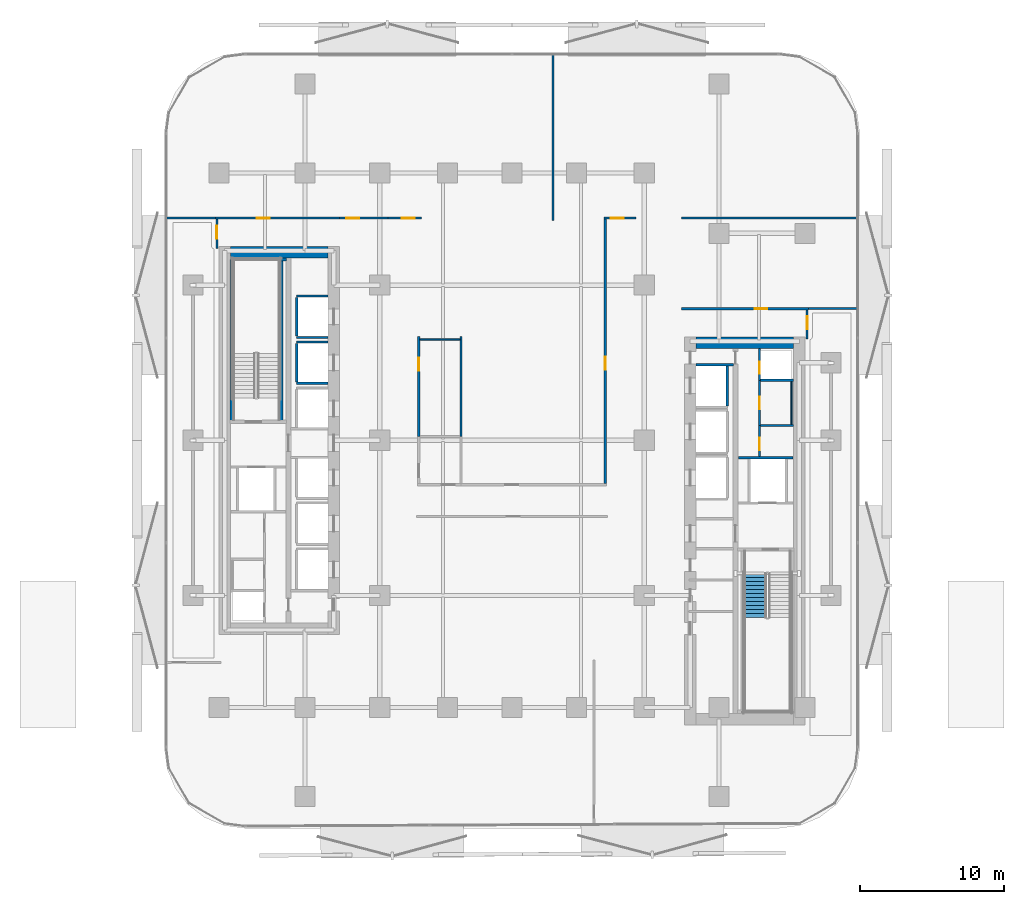
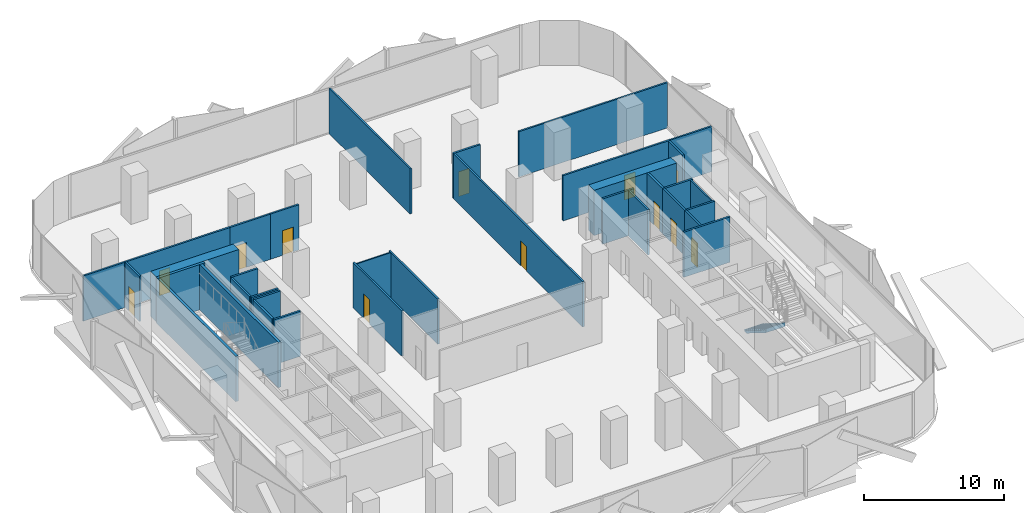
# One storey, part 5 of 16: 35 walls, 12 doors, 1 stair flight, 12 openings, 1 element without a shape of its own.
"""IFC4 building model written with IfcOpenShell, lengths in metres."""

from ifc_helpers import new_model, si_unit, direction, frame, frame_2d, origin, place, context, subcontext, project, spatial, polyline, rectangle, outline, extrude, material, layer, layer_set, type_object, element, fill, aggregate, save


model = new_model("IFC4")

# Units and contexts
model_context = context("Model", 3, precision=1e-05, world=origin(), true_north=direction((0.0, 1.0)))
body_context = subcontext(model_context, "Body", "Model", "MODEL_VIEW")
ifc_project = project(units=[si_unit("LENGTHUNIT", "METRE"), si_unit("AREAUNIT", "SQUARE_METRE"), si_unit("VOLUMEUNIT", "CUBIC_METRE"), si_unit("PLANEANGLEUNIT", "RADIAN"), si_unit("MASSUNIT", "GRAM", prefix="KILO")], contexts=[model_context])

# Site, building, storey
site_placement = place(None, origin())
site = spatial("IfcSite", under=ifc_project, at=site_placement, CompositionType="ELEMENT")
building_placement = place(site_placement, origin())
building = spatial("IfcBuilding", under=site, at=building_placement, Name="Khairoan Windgate Tower", CompositionType="ELEMENT")
storey_placement = place(building_placement, frame((0.0, 0.0, 26.0)))
storey = spatial("IfcBuildingStorey", under=building, at=storey_placement, Name="L06", CompositionType="ELEMENT", Elevation=26.0)

# Walls
ifc_material_1 = material(Name="Moisture-Resistant Gypsum Partition", Category="gypsum")
ifc_layer_1 = layer(ifc_material_1, 0.10009765625, Name="Moisture-Resistant Gypsum Partition")
ifc_layer_set_1 = layer_set([ifc_layer_1], Name="Moisture-Resistant Gypsum Partition")
wall_type_1 = type_object("IfcWallType", Name="Bathroom Wet-Area Partition Wall", PredefinedType="PARTITIONING", material=ifc_layer_set_1)
wall_1_placement = place(storey_placement, frame((19.449951171875, 4.090087890625, 0.0), z_axis=(0.0, 0.0, 1.0), x_axis=(0.0, -1.0, 0.0)))
element("IfcWall", 1, at=wall_1_placement, inside=storey, type_object=wall_type_1, Name="L06 Wet Room Side Wall 036", PredefinedType="PARTITIONING", context=body_context, shape_type="SweptSolid", body=[
    extrude(rectangle(XDim=2.97998046875, YDim=0.10009765625, at=frame_2d((1.489990234375, 0.0))), origin(), (0.0, 0.0, 1.0), 3.93994140625),
])
wall_2_placement = place(storey_placement, frame((-6.409912109375, 7.0, 0.0), z_axis=(0.0, 0.0, 1.0), x_axis=(1.0, 0.0, 0.0)))
element("IfcWall", 2, at=wall_2_placement, inside=storey, type_object=wall_type_1, Name="L06 Wet Room Side Wall 037", PredefinedType="PARTITIONING", context=body_context, shape_type="SweptSolid", body=[
    extrude(rectangle(XDim=2.7998046875, YDim=0.10009765625, at=frame_2d((1.39990234375, 0.0))), origin(), (0.0, 0.0, 1.0), 3.93994140625),
])
ifc_material_2 = material(Name="Concrete C40/50", Category="concrete")
ifc_layer_2 = layer(ifc_material_2, 0.159912109375, Name="Concrete C40/50")
ifc_layer_set_2 = layer_set([ifc_layer_2], Name="Concrete C40/50")
wall_type_2 = type_object("IfcWallType", Name="Core and Hoistway Enclosure Wall", PredefinedType="STANDARD", material=ifc_layer_set_2)
for number, where, z_axis, x_axis, name in (
    (3, (-14.989990234375, 7.159912109375, 0.0), (0.0, 0.0, 1.0), (1.0, 0.0, 0.0), "L06 Lift PL1 Hoistway Divider S"),
    (4, (-14.989990234375, 10.0400390625, 0.0), (0.0, 0.0, 1.0), (1.0, 0.0, 0.0), "L06 Lift PL1 Hoistway Divider N"),
):
    element("IfcWall", number, at=place(storey_placement, frame(where, z_axis=z_axis, x_axis=x_axis)), inside=storey, type_object=wall_type_2, Name=name, PredefinedType="STANDARD", context=body_context, shape_type="SweptSolid", body=[
        extrude(rectangle(XDim=2.18994140625, YDim=0.159912109375, at=frame_2d((1.094970703125, 0.0))), origin(), (0.0, 0.0, 1.0), 3.93994140625),
    ])
wall_3_placement = place(storey_placement, frame((-14.989990234375, 7.25, 0.0), z_axis=(0.0, 0.0, 1.0), x_axis=(0.0, 1.0, 0.0)))
element("IfcWall", 5, at=wall_3_placement, inside=storey, type_object=wall_type_2, Name="L06 Lift PL1 Hoistway Back Wall", PredefinedType="STANDARD", context=body_context, shape_type="SweptSolid", body=[
    extrude(rectangle(XDim=2.699951171875, YDim=0.159912109375, at=frame_2d((1.35009765625, 0.0))), origin(), (0.0, 0.0, 1.0), 3.93994140625),
])
for number, where, z_axis, x_axis, name in (
    (6, (-14.989990234375, 3.9599609375, 0.0), (0.0, 0.0, 1.0), (1.0, 0.0, 0.0), "L06 Lift PL2 Hoistway Divider S"),
    (7, (-14.989990234375, 6.840087890625, 0.0), (0.0, 0.0, 1.0), (1.0, 0.0, 0.0), "L06 Lift PL2 Hoistway Divider N"),
):
    element("IfcWall", number, at=place(storey_placement, frame(where, z_axis=z_axis, x_axis=x_axis)), inside=storey, type_object=wall_type_2, Name=name, PredefinedType="STANDARD", context=body_context, shape_type="SweptSolid", body=[
        extrude(rectangle(XDim=2.18994140625, YDim=0.159912109375, at=frame_2d((1.094970703125, 0.0))), origin(), (0.0, 0.0, 1.0), 3.93994140625),
    ])
wall_4_placement = place(storey_placement, frame((-14.989990234375, 4.050048828125, 0.0), z_axis=(0.0, 0.0, 1.0), x_axis=(0.0, 1.0, 0.0)))
element("IfcWall", 8, at=wall_4_placement, inside=storey, type_object=wall_type_2, Name="L06 Lift PL2 Hoistway Back Wall", PredefinedType="STANDARD", context=body_context, shape_type="SweptSolid", body=[
    extrude(rectangle(XDim=2.699951171875, YDim=0.159912109375, at=frame_2d((1.35009765625, 0.0))), origin(), (0.0, 0.0, 1.0), 3.93994140625),
])
wall_5_placement = place(storey_placement, frame((14.989990234375, 2.39990234375, 0.0), z_axis=(0.0, 0.0, 1.0), x_axis=(0.0, 1.0, 0.0)))
element("IfcWall", 9, at=wall_5_placement, inside=storey, type_object=wall_type_2, Name="L06 Lift PL7 Hoistway Back Wall", PredefinedType="STANDARD", context=body_context, shape_type="SweptSolid", body=[
    extrude(rectangle(XDim=2.800048828125, YDim=0.159912109375, at=frame_2d((1.39990234375, 0.0))), origin(), (0.0, 0.0, 1.0), 3.93994140625),
])
wall_6_placement = place(storey_placement, frame((15.75, -1.219970703125, 0.0), z_axis=(0.0, 0.0, 1.0), x_axis=(1.0, 0.0, 0.0)))
element("IfcWall", 10, at=wall_6_placement, inside=storey, type_object=wall_type_2, Name="L06 Core Shaft Wall SW-FL1T-L06", PredefinedType="STANDARD", context=body_context, shape_type="SweptSolid", body=[
    extrude(rectangle(XDim=3.800048828125, YDim=0.159912109375, at=frame_2d((1.89990234375, 0.0))), origin(), (0.0, 0.0, 1.0), 3.93994140625),
])
wall_7_placement = place(storey_placement, frame((12.800048828125, 5.25, 0.0), z_axis=(0.0, 0.0, 1.0), x_axis=(1.0, 0.0, 0.0)))
element("IfcWall", 11, at=wall_7_placement, inside=storey, type_object=wall_type_2, Name="L06 Core Shaft Wall SW-ESV-L06", PredefinedType="STANDARD", context=body_context, shape_type="SweptSolid", body=[
    extrude(rectangle(XDim=2.599853515625, YDim=0.159912109375, at=frame_2d((1.2998046875, 0.0))), origin(), (0.0, 0.0, 1.0), 3.93994140625),
])
ifc_material_3 = material(Name="Acoustic Fire-Rated Gypsum Partition", Category="gypsum")
ifc_layer_3 = layer(ifc_material_3, 0.139892578125, Name="Acoustic Fire-Rated Gypsum Partition")
ifc_layer_set_3 = layer_set([ifc_layer_3], Name="Acoustic Fire-Rated Gypsum Partition")
wall_type_3 = type_object("IfcWallType", Name="Inter-Tenancy Compartment Wall", PredefinedType="PARTITIONING", material=ifc_layer_set_3)
for number, where, z_axis, x_axis, name in (
    (12, (-24.054931640625, 15.4599609375, 0.0), (0.0, 0.0, 1.0), (1.0, 0.0, 0.0), "L06 Interior Partition 026"),
    (13, (20.639892578125, 9.159912109375, 0.0), (0.0, 0.0, 1.0), (1.0, 0.0, 0.0), "L06 Interior Partition 028"),
):
    element("IfcWall", number, at=place(storey_placement, frame(where, z_axis=z_axis, x_axis=x_axis)), inside=storey, type_object=wall_type_3, Name=name, PredefinedType="PARTITIONING", context=body_context, shape_type="SweptSolid", body=[
        extrude(rectangle(XDim=3.4150390625, YDim=0.139892578125, at=frame_2d((1.70751953125, 0.0))), origin(), (0.0, 0.0, 1.0), 3.93994140625),
    ])
wall_8_placement = place(storey_placement, frame((11.81005859375, 15.4599609375, 0.0), z_axis=(0.0, 0.0, 1.0), x_axis=(1.0, 0.0, 0.0)))
element("IfcWall", 14, at=wall_8_placement, inside=storey, type_object=wall_type_3, Name="L06 Interior Partition 029", PredefinedType="PARTITIONING", context=body_context, shape_type="SweptSolid", body=[
    extrude(rectangle(XDim=12.244873046875, YDim=0.139892578125, at=frame_2d((6.12255859375, 0.0))), origin(), (0.0, 0.0, 1.0), 3.93994140625),
])
wall_9_placement = place(storey_placement, frame((2.85595703125, 15.280029296875, 0.0), z_axis=(0.0, 0.0, 1.0), x_axis=(0.0, 1.0, 0.0)))
element("IfcWall", 15, at=wall_9_placement, inside=storey, type_object=wall_type_3, Name="L06 Interior Partition 030", PredefinedType="PARTITIONING", context=body_context, shape_type="SweptSolid", body=[
    extrude(rectangle(XDim=11.574951171875, YDim=0.139892578125, at=frame_2d((5.78759765625, 0.0))), origin(), (0.0, 0.0, 1.0), 3.93994140625),
])
wall_10_placement = place(storey_placement, frame((-3.5400390625, 0.280029296875, 0.0), z_axis=(0.0, 0.0, 1.0), x_axis=(0.0, 1.0, 0.0)))
element("IfcWall", 16, at=wall_10_placement, inside=storey, type_object=wall_type_3, Name="L06 Interior Partition 034", PredefinedType="PARTITIONING", context=body_context, shape_type="SweptSolid", body=[
    extrude(rectangle(XDim=6.9599609375, YDim=0.139892578125, at=frame_2d((3.47998046875, 0.0))), origin(), (0.0, 0.0, 1.0), 3.93994140625),
])

# Wall, opening, door
ifc_material_4 = material(Name="Concrete C40/50", Category="concrete")
ifc_layer_4 = layer(ifc_material_4, 0.159912109375, Name="Concrete C40/50")
ifc_layer_set_4 = layer_set([ifc_layer_4], Name="Concrete C40/50")
wall_type_4 = type_object("IfcWallType", Name="Plant and Refuge Compartment Wall", PredefinedType="PARTITIONING", material=ifc_layer_set_4)
wall_11_placement = place(storey_placement, frame((17.22998046875, 4.169921875, 0.0), z_axis=(0.0, 0.0, 1.0), x_axis=(0.0, 1.0, 0.0)))
wall_11 = element("IfcWall", 17, at=wall_11_placement, inside=storey, type_object=wall_type_4, Name="L06 Interior Partition 006", PredefinedType="PARTITIONING", context=body_context, shape_type="SweptSolid", body=[
    extrude(rectangle(XDim=2.22998046875, YDim=0.159912109375, at=frame_2d((1.114990234375, 0.0))), origin(), (0.0, 0.0, 1.0), 3.93994140625),
])
opening_1_placement = place(wall_11_placement, frame((0.4599609375, 0.0, 0.0)))
opening_1 = element("IfcOpeningElement", 18, at=opening_1_placement, cuts=wall_11, Name="Opening FD-SRV", PredefinedType="OPENING", context=body_context, shape_type="SweptSolid", body=[
    extrude(rectangle(XDim=0.85009765625, YDim=2.10009765625, at=frame_2d((0.425048828125, 1.050048828125))), frame((0.0, 0.08984375, 0.0), z_axis=(0.0, -1.0, 0.0), x_axis=(1.0, 0.0, 0.0)), (0.0, 0.0, 1.0), 0.179931640625),
])
ifc_material_5 = material(Name="Steel S355", Category="steel")
door_type_1 = type_object("IfcDoorType", Name="Core Service and Riser Fire Door FD-SRV 850x2100", OperationType="NOTDEFINED", PredefinedType="DOOR", material=ifc_material_5)
door_1_placement = place(opening_1_placement, origin())
door_1 = element("IfcDoor", 19, at=door_1_placement, inside=storey, type_object=door_type_1, Name="L06 L06-19-L06-20 Door", OperationType="SINGLE_SWING_RIGHT", OverallHeight=2.10009765625, OverallWidth=0.85009765625, PredefinedType="DOOR", context=body_context, shape_type="SweptSolid", body=[
    extrude(rectangle(XDim=0.85009765625, YDim=2.10009765625, at=frame_2d((0.425048828125, 1.050048828125))), frame((0.0, 0.02490234375, 0.0), z_axis=(0.0, -1.0, 0.0), x_axis=(1.0, 0.0, 0.0)), (0.0, 0.0, 1.0), 0.050048828125),
])
fill(opening_1, door_1)

wall_12_placement = place(storey_placement, frame((17.22998046875, -1.139892578125, 0.0), z_axis=(0.0, 0.0, 1.0), x_axis=(0.0, 1.0, 0.0)))
wall_12 = element("IfcWall", 20, at=wall_12_placement, inside=storey, type_object=wall_type_4, Name="L06 Interior Partition 007", PredefinedType="PARTITIONING", context=body_context, shape_type="SweptSolid", body=[
    extrude(rectangle(XDim=2.169921875, YDim=0.159912109375, at=frame_2d((1.0849609375, 0.0))), origin(), (0.0, 0.0, 1.0), 3.93994140625),
])
opening_2_placement = place(wall_12_placement, frame((0.4599609375, 0.0, 0.0)))
opening_2 = element("IfcOpeningElement", 21, at=opening_2_placement, cuts=wall_12, Name="Opening FD-SRV", PredefinedType="OPENING", context=body_context, shape_type="SweptSolid", body=[
    extrude(rectangle(XDim=0.85009765625, YDim=2.10009765625, at=frame_2d((0.425048828125, 1.050048828125))), frame((0.0, 0.08984375, 0.0), z_axis=(0.0, -1.0, 0.0), x_axis=(1.0, 0.0, 0.0)), (0.0, 0.0, 1.0), 0.179931640625),
])
door_2_placement = place(opening_2_placement, origin())
door_2 = element("IfcDoor", 22, at=door_2_placement, inside=storey, type_object=door_type_1, Name="L06 L06-19-L06-21 Door", OperationType="SINGLE_SWING_LEFT", OverallHeight=2.10009765625, OverallWidth=0.85009765625, PredefinedType="DOOR", context=body_context, shape_type="SweptSolid", body=[
    extrude(rectangle(XDim=0.85009765625, YDim=2.10009765625, at=frame_2d((0.425048828125, 1.050048828125))), frame((0.0, 0.02490234375, 0.0), z_axis=(0.0, -1.0, 0.0), x_axis=(1.0, 0.0, 0.0)), (0.0, 0.0, 1.0), 0.050048828125),
])
fill(opening_2, door_2)

wall_13_placement = place(storey_placement, frame((17.22998046875, 1.030029296875, 0.0), z_axis=(0.0, 0.0, 1.0), x_axis=(0.0, 1.0, 0.0)))
wall_13 = element("IfcWall", 23, at=wall_13_placement, inside=storey, type_object=wall_type_4, Name="L06 Interior Partition 008", PredefinedType="PARTITIONING", context=body_context, shape_type="SweptSolid", body=[
    extrude(rectangle(XDim=3.139892578125, YDim=0.159912109375, at=frame_2d((1.56982421875, 0.0))), origin(), (0.0, 0.0, 1.0), 3.93994140625),
])
opening_3_placement = place(wall_13_placement, frame((1.14501953125, 0.0, 0.0)))
opening_3 = element("IfcOpeningElement", 24, at=opening_3_placement, cuts=wall_13, Name="Opening FD-SRV", PredefinedType="OPENING", context=body_context, shape_type="SweptSolid", body=[
    extrude(rectangle(XDim=0.85009765625, YDim=2.10009765625, at=frame_2d((0.425048828125, 1.050048828125))), frame((0.0, 0.08984375, 0.0), z_axis=(0.0, -1.0, 0.0), x_axis=(1.0, 0.0, 0.0)), (0.0, 0.0, 1.0), 0.179931640625),
])
door_3_placement = place(opening_3_placement, origin())
door_3 = element("IfcDoor", 25, at=door_3_placement, inside=storey, type_object=door_type_1, Name="L06 L06-19-L06-22 Door", OperationType="SINGLE_SWING_RIGHT", OverallHeight=2.10009765625, OverallWidth=0.85009765625, PredefinedType="DOOR", context=body_context, shape_type="SweptSolid", body=[
    extrude(rectangle(XDim=0.85009765625, YDim=2.10009765625, at=frame_2d((0.425048828125, 1.050048828125))), frame((0.0, 0.02490234375, 0.0), z_axis=(0.0, -1.0, 0.0), x_axis=(1.0, 0.0, 0.0)), (0.0, 0.0, 1.0), 0.050048828125),
])
fill(opening_3, door_3)

# Walls
for number, where, z_axis, x_axis, name in (
    (26, (17.31005859375, 4.169921875, 0.0), (0.0, 0.0, 1.0), (1.0, 0.0, 0.0), "L06 Interior Partition 009"),
    (27, (17.31005859375, 1.030029296875, 0.0), (0.0, 0.0, 1.0), (1.0, 0.0, 0.0), "L06 Interior Partition 010"),
):
    element("IfcWall", number, at=place(storey_placement, frame(where, z_axis=z_axis, x_axis=x_axis)), inside=storey, type_object=wall_type_4, Name=name, PredefinedType="PARTITIONING", context=body_context, shape_type="SweptSolid", body=[
        extrude(rectangle(XDim=2.2900390625, YDim=0.159912109375, at=frame_2d((1.14501953125, 0.0))), origin(), (0.0, 0.0, 1.0), 3.93994140625),
    ])

# Wall, opening, door
ifc_material_6 = material(Name="Acoustic Fire-Rated Gypsum Partition", Category="gypsum")
ifc_layer_5 = layer(ifc_material_6, 0.14990234375, Name="Acoustic Fire-Rated Gypsum Partition")
ifc_layer_set_5 = layer_set([ifc_layer_5], Name="Acoustic Fire-Rated Gypsum Partition")
wall_type_5 = type_object("IfcWallType", Name="Rated Corridor Partition Wall", PredefinedType="PARTITIONING", material=ifc_layer_set_5)
wall_14_placement = place(storey_placement, frame((-11.989990234375, 15.4599609375, 0.0), z_axis=(0.0, 0.0, 1.0), x_axis=(1.0, 0.0, 0.0)))
wall_14 = element("IfcWall", 28, at=wall_14_placement, inside=storey, type_object=wall_type_5, Name="L06 Interior Partition 013", PredefinedType="PARTITIONING", context=body_context, shape_type="SweptSolid", body=[
    extrude(rectangle(XDim=3.35009765625, YDim=0.14990234375, at=frame_2d((1.675048828125, 0.0))), origin(), (0.0, 0.0, 1.0), 3.93994140625),
])
opening_4_placement = place(wall_14_placement, frame((0.4599609375, 0.0, 0.0)))
opening_4 = element("IfcOpeningElement", 29, at=opening_4_placement, cuts=wall_14, Name="Opening FD-ENT", PredefinedType="OPENING", context=body_context, shape_type="SweptSolid", body=[
    extrude(rectangle(XDim=0.89990234375, YDim=2.14990234375, at=frame_2d((0.449951171875, 1.074951171875))), frame((0.0, 0.0849609375, 0.0), z_axis=(0.0, -1.0, 0.0), x_axis=(1.0, 0.0, 0.0)), (0.0, 0.0, 1.0), 0.169921875),
])
ifc_material_7 = material(Name="Timber Fire-Rated Core", Category="wood")
door_type_2 = type_object("IfcDoorType", Name="Unit and Office Fire Entrance Door FD-ENT 900x2150", OperationType="NOTDEFINED", PredefinedType="DOOR", material=ifc_material_7)
door_4_placement = place(opening_4_placement, origin())
door_4 = element("IfcDoor", 30, at=door_4_placement, inside=storey, type_object=door_type_2, Name="L06 L06-31-L06-41 Door", OperationType="SINGLE_SWING_LEFT", OverallHeight=2.14990234375, OverallWidth=0.89990234375, PredefinedType="DOOR", context=body_context, shape_type="SweptSolid", body=[
    extrude(rectangle(XDim=0.89990234375, YDim=2.14990234375, at=frame_2d((0.449951171875, 1.074951171875))), frame((0.0, 0.02490234375, 0.0), z_axis=(0.0, -1.0, 0.0), x_axis=(1.0, 0.0, 0.0)), (0.0, 0.0, 1.0), 0.050048828125),
])
fill(opening_4, door_4)

wall_15_placement = place(storey_placement, frame((-8.639892578125, 15.4599609375, 0.0), z_axis=(0.0, 0.0, 1.0), x_axis=(1.0, 0.0, 0.0)))
wall_15 = element("IfcWall", 31, at=wall_15_placement, inside=storey, type_object=wall_type_5, Name="L06 Interior Partition 017", PredefinedType="PARTITIONING", context=body_context, shape_type="SweptSolid", body=[
    extrude(rectangle(XDim=2.329833984375, YDim=0.14990234375, at=frame_2d((1.1650390625, 0.0))), origin(), (0.0, 0.0, 1.0), 3.93994140625),
])
opening_5_placement = place(wall_15_placement, frame((0.969970703125, 0.0, 0.0)))
opening_5 = element("IfcOpeningElement", 32, at=opening_5_placement, cuts=wall_15, Name="Opening FD-ENT", PredefinedType="OPENING", context=body_context, shape_type="SweptSolid", body=[
    extrude(rectangle(XDim=0.89990234375, YDim=2.14990234375, at=frame_2d((0.449951171875, 1.074951171875))), frame((0.0, 0.0849609375, 0.0), z_axis=(0.0, -1.0, 0.0), x_axis=(1.0, 0.0, 0.0)), (0.0, 0.0, 1.0), 0.169921875),
])
door_5_placement = place(opening_5_placement, origin())
door_5 = element("IfcDoor", 33, at=door_5_placement, inside=storey, type_object=door_type_2, Name="L06 L06-34-L06-41 Door", OperationType="SINGLE_SWING_LEFT", OverallHeight=2.14990234375, OverallWidth=0.89990234375, PredefinedType="DOOR", context=body_context, shape_type="SweptSolid", body=[
    extrude(rectangle(XDim=0.89990234375, YDim=2.14990234375, at=frame_2d((0.449951171875, 1.074951171875))), frame((0.0, 0.02490234375, 0.0), z_axis=(0.0, -1.0, 0.0), x_axis=(1.0, 0.0, 0.0)), (0.0, 0.0, 1.0), 0.050048828125),
])
fill(opening_5, door_5)

wall_16_placement = place(storey_placement, frame((-6.485107421875, 0.280029296875, 0.0), z_axis=(0.0, 0.0, 1.0), x_axis=(0.0, 1.0, 0.0)))
wall_16 = element("IfcWall", 34, at=wall_16_placement, inside=storey, type_object=wall_type_5, Name="L06 Interior Partition 019", PredefinedType="PARTITIONING", context=body_context, shape_type="SweptSolid", body=[
    extrude(rectangle(XDim=6.9599609375, YDim=0.14990234375, at=frame_2d((3.47998046875, 0.0))), origin(), (0.0, 0.0, 1.0), 3.93994140625),
])
opening_6_placement = place(wall_16_placement, frame((4.572021484375, 0.0, 0.0)))
opening_6 = element("IfcOpeningElement", 35, at=opening_6_placement, cuts=wall_16, Name="Opening FD-ENT", PredefinedType="OPENING", context=body_context, shape_type="SweptSolid", body=[
    extrude(rectangle(XDim=0.89990234375, YDim=2.14990234375, at=frame_2d((0.449951171875, 1.074951171875))), frame((0.0, 0.0849609375, 0.0), z_axis=(0.0, -1.0, 0.0), x_axis=(1.0, 0.0, 0.0)), (0.0, 0.0, 1.0), 0.169921875),
])
door_6_placement = place(opening_6_placement, origin())
door_6 = element("IfcDoor", 36, at=door_6_placement, inside=storey, type_object=door_type_2, Name="L06 L06-34-L06-46 Door", OperationType="SINGLE_SWING_LEFT", OverallHeight=2.14990234375, OverallWidth=0.89990234375, PredefinedType="DOOR", context=body_context, shape_type="SweptSolid", body=[
    extrude(rectangle(XDim=0.89990234375, YDim=2.14990234375, at=frame_2d((0.449951171875, 1.074951171875))), frame((0.0, 0.02490234375, 0.0), z_axis=(0.0, -1.0, 0.0), x_axis=(1.0, 0.0, 0.0)), (0.0, 0.0, 1.0), 0.050048828125),
])
fill(opening_6, door_6)

wall_17_placement = place(storey_placement, frame((6.409912109375, 15.4599609375, 0.0), z_axis=(0.0, 0.0, 1.0), x_axis=(1.0, 0.0, 0.0)))
wall_17 = element("IfcWall", 37, at=wall_17_placement, inside=storey, type_object=wall_type_5, Name="L06 Interior Partition 020", PredefinedType="PARTITIONING", context=body_context, shape_type="SweptSolid", body=[
    extrude(rectangle(XDim=2.22998046875, YDim=0.14990234375, at=frame_2d((1.114990234375, 0.0))), origin(), (0.0, 0.0, 1.0), 3.93994140625),
])
opening_7_placement = place(wall_17_placement, frame((0.4599609375, 0.0, 0.0)))
opening_7 = element("IfcOpeningElement", 38, at=opening_7_placement, cuts=wall_17, Name="Opening FD-ENT", PredefinedType="OPENING", context=body_context, shape_type="SweptSolid", body=[
    extrude(rectangle(XDim=0.89990234375, YDim=2.14990234375, at=frame_2d((0.449951171875, 1.074951171875))), frame((0.0, 0.0849609375, 0.0), z_axis=(0.0, -1.0, 0.0), x_axis=(1.0, 0.0, 0.0)), (0.0, 0.0, 1.0), 0.169921875),
])
door_7_placement = place(opening_7_placement, origin())
door_7 = element("IfcDoor", 39, at=door_7_placement, inside=storey, type_object=door_type_2, Name="L06 L06-35-L06-42 Door", OperationType="SINGLE_SWING_RIGHT", OverallHeight=2.14990234375, OverallWidth=0.89990234375, PredefinedType="DOOR", context=body_context, shape_type="SweptSolid", body=[
    extrude(rectangle(XDim=0.89990234375, YDim=2.14990234375, at=frame_2d((0.449951171875, 1.074951171875))), frame((0.0, 0.02490234375, 0.0), z_axis=(0.0, -1.0, 0.0), x_axis=(1.0, 0.0, 0.0)), (0.0, 0.0, 1.0), 0.050048828125),
])
fill(opening_7, door_7)

wall_18_placement = place(storey_placement, frame((6.485107421875, -3.02001953125, 0.0), z_axis=(0.0, 0.0, 1.0), x_axis=(0.0, 1.0, 0.0)))
wall_18 = element("IfcWall", 40, at=wall_18_placement, inside=storey, type_object=wall_type_5, Name="L06 Interior Partition 021", PredefinedType="PARTITIONING", context=body_context, shape_type="SweptSolid", body=[
    extrude(rectangle(XDim=18.405029296875, YDim=0.14990234375, at=frame_2d((9.20263671875, 0.0))), origin(), (0.0, 0.0, 1.0), 3.93994140625),
])
opening_8_placement = place(wall_18_placement, frame((7.943603515625, 0.0, 0.0)))
opening_8 = element("IfcOpeningElement", 41, at=opening_8_placement, cuts=wall_18, Name="Opening FD-ENT", PredefinedType="OPENING", context=body_context, shape_type="SweptSolid", body=[
    extrude(rectangle(XDim=0.89990234375, YDim=2.14990234375, at=frame_2d((0.449951171875, 1.074951171875))), frame((0.0, 0.0849609375, 0.0), z_axis=(0.0, -1.0, 0.0), x_axis=(1.0, 0.0, 0.0)), (0.0, 0.0, 1.0), 0.169921875),
])
door_8_placement = place(opening_8_placement, origin())
door_8 = element("IfcDoor", 42, at=door_8_placement, inside=storey, type_object=door_type_2, Name="L06 L06-35-L06-47 Door", OperationType="SINGLE_SWING_LEFT", OverallHeight=2.14990234375, OverallWidth=0.89990234375, PredefinedType="DOOR", context=body_context, shape_type="SweptSolid", body=[
    extrude(rectangle(XDim=0.89990234375, YDim=2.14990234375, at=frame_2d((0.449951171875, 1.074951171875))), frame((0.0, 0.02490234375, 0.0), z_axis=(0.0, -1.0, 0.0), x_axis=(1.0, 0.0, 0.0)), (0.0, 0.0, 1.0), 0.050048828125),
])
fill(opening_8, door_8)

wall_19_placement = place(storey_placement, frame((-20.5400390625, 13.360107421875, 0.0), z_axis=(0.0, 0.0, 1.0), x_axis=(0.0, 1.0, 0.0)))
wall_19 = element("IfcWall", 43, at=wall_19_placement, inside=storey, type_object=wall_type_5, Name="L06 Interior Partition 022", PredefinedType="PARTITIONING", context=body_context, shape_type="SweptSolid", body=[
    extrude(rectangle(XDim=2.02490234375, YDim=0.14990234375, at=frame_2d((1.012451171875, 0.0))), origin(), (0.0, 0.0, 1.0), 3.93994140625),
])
opening_9_placement = place(wall_19_placement, frame((0.6650390625, 0.0, 0.0)))
opening_9 = element("IfcOpeningElement", 44, at=opening_9_placement, cuts=wall_19, Name="Opening FD-ENT", PredefinedType="OPENING", context=body_context, shape_type="SweptSolid", body=[
    extrude(rectangle(XDim=0.89990234375, YDim=2.14990234375, at=frame_2d((0.449951171875, 1.074951171875))), frame((0.0, 0.0849609375, 0.0), z_axis=(0.0, -1.0, 0.0), x_axis=(1.0, 0.0, 0.0)), (0.0, 0.0, 1.0), 0.169921875),
])
door_9_placement = place(opening_9_placement, origin())
door_9 = element("IfcDoor", 45, at=door_9_placement, inside=storey, type_object=door_type_2, Name="L06 L06-36-L06-38 Door", OperationType="SINGLE_SWING_RIGHT", OverallHeight=2.14990234375, OverallWidth=0.89990234375, PredefinedType="DOOR", context=body_context, shape_type="SweptSolid", body=[
    extrude(rectangle(XDim=0.89990234375, YDim=2.14990234375, at=frame_2d((0.449951171875, 1.074951171875))), frame((0.0, 0.02490234375, 0.0), z_axis=(0.0, -1.0, 0.0), x_axis=(1.0, 0.0, 0.0)), (0.0, 0.0, 1.0), 0.050048828125),
])
fill(opening_9, door_9)

wall_20_placement = place(storey_placement, frame((-20.639892578125, 15.4599609375, 0.0), z_axis=(0.0, 0.0, 1.0), x_axis=(1.0, 0.0, 0.0)))
wall_20 = element("IfcWall", 46, at=wall_20_placement, inside=storey, type_object=wall_type_5, Name="L06 Interior Partition 023", PredefinedType="PARTITIONING", context=body_context, shape_type="SweptSolid", body=[
    extrude(rectangle(XDim=8.64990234375, YDim=0.14990234375, at=frame_2d((4.324951171875, 0.0))), origin(), (0.0, 0.0, 1.0), 3.93994140625),
])
opening_10_placement = place(wall_20_placement, frame((2.87060546875, 0.0, 0.0)))
opening_10 = element("IfcOpeningElement", 47, at=opening_10_placement, cuts=wall_20, Name="Opening FD-ENT", PredefinedType="OPENING", context=body_context, shape_type="SweptSolid", body=[
    extrude(rectangle(XDim=0.89990234375, YDim=2.14990234375, at=frame_2d((0.449951171875, 1.074951171875))), frame((0.0, 0.0849609375, 0.0), z_axis=(0.0, -1.0, 0.0), x_axis=(1.0, 0.0, 0.0)), (0.0, 0.0, 1.0), 0.169921875),
])
door_10_placement = place(opening_10_placement, origin())
door_10 = element("IfcDoor", 48, at=door_10_placement, inside=storey, type_object=door_type_2, Name="L06 L06-36-L06-41 Door", OperationType="SINGLE_SWING_LEFT", OverallHeight=2.14990234375, OverallWidth=0.89990234375, PredefinedType="DOOR", context=body_context, shape_type="SweptSolid", body=[
    extrude(rectangle(XDim=0.89990234375, YDim=2.14990234375, at=frame_2d((0.449951171875, 1.074951171875))), frame((0.0, 0.02490234375, 0.0), z_axis=(0.0, -1.0, 0.0), x_axis=(1.0, 0.0, 0.0)), (0.0, 0.0, 1.0), 0.050048828125),
])
fill(opening_10, door_10)

wall_21_placement = place(storey_placement, frame((20.5400390625, 7.06005859375, 0.0), z_axis=(0.0, 0.0, 1.0), x_axis=(0.0, 1.0, 0.0)))
wall_21 = element("IfcWall", 49, at=wall_21_placement, inside=storey, type_object=wall_type_5, Name="L06 Interior Partition 024", PredefinedType="PARTITIONING", context=body_context, shape_type="SweptSolid", body=[
    extrude(rectangle(XDim=2.02490234375, YDim=0.14990234375, at=frame_2d((1.012451171875, 0.0))), origin(), (0.0, 0.0, 1.0), 3.93994140625),
])
opening_11_placement = place(wall_21_placement, frame((0.6650390625, 0.0, 0.0)))
opening_11 = element("IfcOpeningElement", 50, at=opening_11_placement, cuts=wall_21, Name="Opening FD-ENT", PredefinedType="OPENING", context=body_context, shape_type="SweptSolid", body=[
    extrude(rectangle(XDim=0.89990234375, YDim=2.14990234375, at=frame_2d((0.449951171875, 1.074951171875))), frame((0.0, 0.0849609375, 0.0), z_axis=(0.0, -1.0, 0.0), x_axis=(1.0, 0.0, 0.0)), (0.0, 0.0, 1.0), 0.169921875),
])
door_11_placement = place(opening_11_placement, origin())
door_11 = element("IfcDoor", 51, at=door_11_placement, inside=storey, type_object=door_type_2, Name="L06 L06-37-L06-39 Door", OperationType="SINGLE_SWING_RIGHT", OverallHeight=2.14990234375, OverallWidth=0.89990234375, PredefinedType="DOOR", context=body_context, shape_type="SweptSolid", body=[
    extrude(rectangle(XDim=0.89990234375, YDim=2.14990234375, at=frame_2d((0.449951171875, 1.074951171875))), frame((0.0, 0.02490234375, 0.0), z_axis=(0.0, -1.0, 0.0), x_axis=(1.0, 0.0, 0.0)), (0.0, 0.0, 1.0), 0.050048828125),
])
fill(opening_11, door_11)

wall_22_placement = place(storey_placement, frame((11.81005859375, 9.159912109375, 0.0), z_axis=(0.0, 0.0, 1.0), x_axis=(1.0, 0.0, 0.0)))
wall_22 = element("IfcWall", 52, at=wall_22_placement, inside=storey, type_object=wall_type_5, Name="L06 Interior Partition 025", PredefinedType="PARTITIONING", context=body_context, shape_type="SweptSolid", body=[
    extrude(rectangle(XDim=8.829833984375, YDim=0.14990234375, at=frame_2d((4.4150390625, 0.0))), origin(), (0.0, 0.0, 1.0), 3.93994140625),
])
opening_12_placement = place(wall_22_placement, frame((5.066650390625, 0.0, 0.0)))
opening_12 = element("IfcOpeningElement", 53, at=opening_12_placement, cuts=wall_22, Name="Opening FD-ENT", PredefinedType="OPENING", context=body_context, shape_type="SweptSolid", body=[
    extrude(rectangle(XDim=0.89990234375, YDim=2.14990234375, at=frame_2d((0.449951171875, 1.074951171875))), frame((0.0, 0.0849609375, 0.0), z_axis=(0.0, -1.0, 0.0), x_axis=(1.0, 0.0, 0.0)), (0.0, 0.0, 1.0), 0.169921875),
])
door_12_placement = place(opening_12_placement, origin())
door_12 = element("IfcDoor", 54, at=door_12_placement, inside=storey, type_object=door_type_2, Name="L06 L06-37-L06-40 Door", OperationType="SINGLE_SWING_LEFT", OverallHeight=2.14990234375, OverallWidth=0.89990234375, PredefinedType="DOOR", context=body_context, shape_type="SweptSolid", body=[
    extrude(rectangle(XDim=0.89990234375, YDim=2.14990234375, at=frame_2d((0.449951171875, 1.074951171875))), frame((0.0, 0.02490234375, 0.0), z_axis=(0.0, -1.0, 0.0), x_axis=(1.0, 0.0, 0.0)), (0.0, 0.0, 1.0), 0.050048828125),
])
fill(opening_12, door_12)

# Walls
ifc_material_8 = material(Name="Concrete C70/85", Category="concrete")
ifc_layer_6 = layer(ifc_material_8, 0.800048828125, Name="Concrete C70/85")
ifc_layer_set_6 = layer_set([ifc_layer_6], Name="Concrete C70/85")
wall_type_6 = type_object("IfcWallType", Name="Shear Wall CW-E1 800mm", PredefinedType="SHEAR", material=ifc_layer_set_6)
wall_23_placement = place(storey_placement, frame((12.800048828125, 6.800048828125, 0.0), z_axis=(0.0, 0.0, 1.0), x_axis=(1.0, 0.0, 0.0)))
element("IfcWall", 55, at=wall_23_placement, inside=storey, type_object=wall_type_6, Name="E Core North Shear Wall L06", PredefinedType="SHEAR", context=body_context, shape_type="SweptSolid", body=[
    extrude(rectangle(XDim=6.800048828125, YDim=0.800048828125, at=frame_2d((3.39990234375, 0.0))), origin(), (0.0, 0.0, 1.0), 3.93994140625),
])
ifc_material_9 = material(Name="Concrete C70/85", Category="concrete")
ifc_layer_7 = layer(ifc_material_9, 0.800048828125, Name="Concrete C70/85")
ifc_layer_set_7 = layer_set([ifc_layer_7], Name="Concrete C70/85")
wall_type_7 = type_object("IfcWallType", Name="Shear Wall CW-W1 800mm", PredefinedType="SHEAR", material=ifc_layer_set_7)
wall_24_placement = place(storey_placement, frame((-19.60009765625, 13.10009765625, 0.0), z_axis=(0.0, 0.0, 1.0), x_axis=(1.0, 0.0, 0.0)))
element("IfcWall", 56, at=wall_24_placement, inside=storey, type_object=wall_type_7, Name="W Core North Shear Wall L06", PredefinedType="SHEAR", context=body_context, shape_type="SweptSolid", body=[
    extrude(rectangle(XDim=6.800048828125, YDim=0.800048828125, at=frame_2d((3.39990234375, 0.0))), origin(), (0.0, 0.0, 1.0), 3.93994140625),
])
ifc_material_10 = material(Name="Concrete C50/60", Category="concrete")
ifc_layer_8 = layer(ifc_material_10, 0.219970703125, Name="Concrete C50/60")
ifc_layer_set_8 = layer_set([ifc_layer_8], Name="Concrete C50/60")
wall_type_8 = type_object("IfcWallType", Name="Shear Wall SW-ST 220mm", PredefinedType="SHEAR", material=ifc_layer_set_8)
for number, where, z_axis, x_axis, name in (
    (57, (-16.0400390625, 1.2900390625, 0.0), (0.0, 0.0, 1.0), (0.0, 1.0, 0.0), "L06 Stair ST2 East Bearing Wall"),
    (58, (-19.530029296875, 1.2900390625, 0.0), (0.0, 0.0, 1.0), (0.0, 1.0, 0.0), "L06 Stair ST2 West Bearing Wall"),
):
    element("IfcWall", number, at=place(storey_placement, frame(where, z_axis=z_axis, x_axis=x_axis)), inside=storey, type_object=wall_type_8, Name=name, PredefinedType="SHEAR", context=body_context, shape_type="SweptSolid", body=[
        extrude(rectangle(XDim=11.300048828125, YDim=0.219970703125, at=frame_2d((5.64990234375, 0.0))), origin(), (0.0, 0.0, 1.0), 3.93994140625),
    ])
wall_25_placement = place(storey_placement, frame((-19.6201171875, 12.590087890625, 0.0), z_axis=(0.0, 0.0, 1.0), x_axis=(1.0, 0.0, 0.0)))
element("IfcWall", 59, at=wall_25_placement, inside=storey, type_object=wall_type_8, Name="L06 Stair ST2 North Bearing Wall", PredefinedType="SHEAR", context=body_context, shape_type="SweptSolid", body=[
    extrude(rectangle(XDim=3.9150390625, YDim=0.219970703125, at=frame_2d((1.95751953125, 0.0))), origin(), (0.0, 0.0, 1.0), 3.93994140625),
])

# Stair, stair flight
ifc_material_11 = material(Name="Concrete C40/50", Category="concrete")
stair_type = type_object("IfcStairType", Name="Tower Core Dog-Leg Stair ST-T1 1560mm", PredefinedType="HALF_TURN_STAIR", material=ifc_material_11)
stair_placement = place(storey_placement, origin())
stair = element("IfcStair", 60, at=stair_placement, inside=storey, type_object=stair_type, Name="L06 Stair ST1", PredefinedType="HALF_TURN_STAIR")
ifc_material_12 = material(Name="Concrete C40/50", Category="concrete")
ifc_layer_9 = layer(ifc_material_12, 0.14990234375, Name="Concrete C40/50")
ifc_layer_set_9 = layer_set([ifc_layer_9], Name="Concrete C40/50")
stair_flight_type = type_object("IfcStairFlightType", Name="Tower Core Stair Flight STF-1560", PredefinedType="STRAIGHT", material=ifc_layer_set_9)
stair_flight_placement = place(storey_placement, frame((16.929931640625, -9.260009765625, 0.0), z_axis=(0.0, 0.0, 1.0), x_axis=(0.0, -1.0, 0.0)))
stair_flight = element("IfcStairFlight", 61, at=stair_flight_placement, type_object=stair_flight_type, Name="ST1 flight 1", NumberOfRisers=12, NumberOfTreads=11, PredefinedType="STRAIGHT", RiserHeight=0.175, TreadLength=0.28, context=body_context, shape_type="SweptSolid", body=[
    extrude(outline(polyline([(-0.00390625, 0.0), (-0.00390625, 0.175048828125), (0.0, 0.175048828125), (0.280029296875, 0.175048828125), (0.280029296875, 0.35009765625), (0.56005859375, 0.35009765625), (0.56005859375, 0.52490234375), (0.840087890625, 0.52490234375), (0.840087890625, 0.699951171875), (1.1201171875, 0.699951171875), (1.1201171875, 0.875), (1.39990234375, 0.875), (1.39990234375, 1.050048828125), (1.679931640625, 1.050048828125), (1.679931640625, 1.22509765625), (1.9599609375, 1.22509765625), (1.9599609375, 1.39990234375), (2.239990234375, 1.39990234375), (2.239990234375, 1.574951171875), (2.52001953125, 1.574951171875), (2.52001953125, 1.75), (2.800048828125, 1.75), (2.800048828125, 1.925048828125), (3.080078125, 1.925048828125), (3.080078125, 2.10009765625), (3.083984375, 2.10009765625), (3.083984375, 1.748291015625), (0.28271484375, 0.0), (-0.00390625, 0.0)])), frame((0.0, 0.780029296875, 0.0), z_axis=(0.0, -1.0, 0.0), x_axis=(1.0, 0.0, 0.0)), (0.0, 0.0, 1.0), 1.56005859375),
])
aggregate(stair, [stair_flight])

save(model, "model.ifc")
